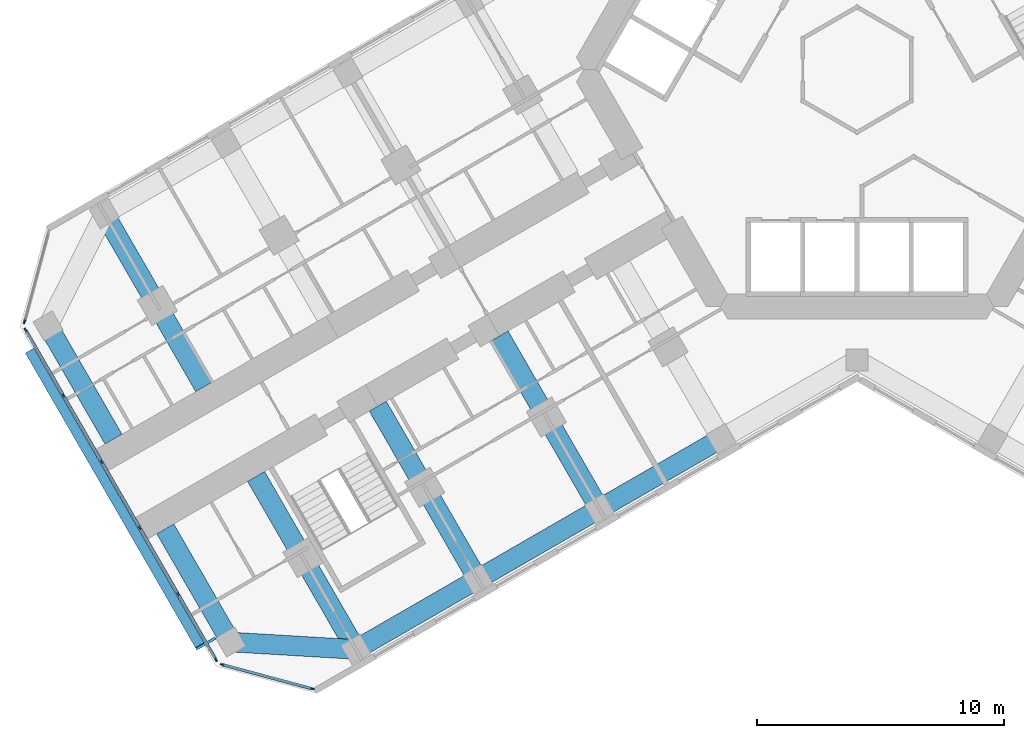
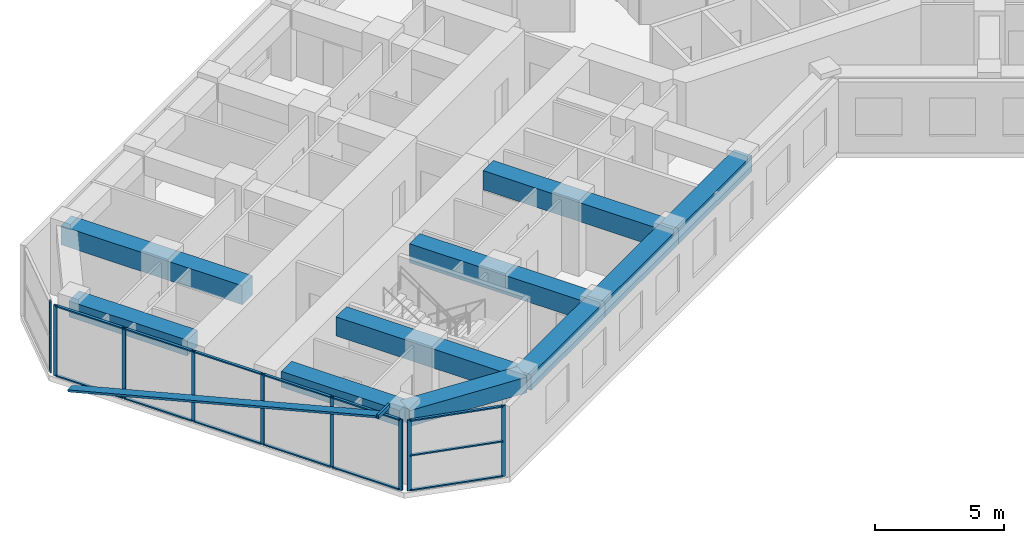
# One storey, part 2 of 21: 24 members, 10 beams, 3 elements without a shape of their own.
"""IFC4 building model written with IfcOpenShell, lengths in metres."""

from ifc_helpers import new_model, si_unit, direction, frame, origin, origin_2d, place, context, subcontext, project, spatial, rectangle, hollow_rectangle, extrude, material, material_profile, profile_set, type_object, element, aggregate, save


model = new_model("IFC4")

# Units and contexts
model_context = context("Model", 3, precision=1e-05, world=origin(), true_north=direction((0.0, 1.0)))
body_context = subcontext(model_context, "Body", "Model", "MODEL_VIEW")
ifc_project = project(units=[si_unit("LENGTHUNIT", "METRE"), si_unit("AREAUNIT", "SQUARE_METRE"), si_unit("VOLUMEUNIT", "CUBIC_METRE"), si_unit("PLANEANGLEUNIT", "RADIAN"), si_unit("MASSUNIT", "GRAM", prefix="KILO")], contexts=[model_context])

# Site, building, storey
site_placement = place(None, origin())
site = spatial("IfcSite", under=ifc_project, at=site_placement, CompositionType="ELEMENT")
building_placement = place(site_placement, origin())
building = spatial("IfcBuilding", under=site, at=building_placement, Name="Kosmar Iwan School Tower", CompositionType="ELEMENT")
storey_placement = place(building_placement, frame((0.0, 0.0, 106.0)))
storey = spatial("IfcBuildingStorey", under=building, at=storey_placement, Name="L26", CompositionType="ELEMENT", Elevation=106.0)

# Members
ifc_material_1 = material(Name="Black anodised aluminium", Category="aluminium")
ifc_material_profile_1 = material_profile(ifc_material_1, rectangle(XDim=0.10009765625, YDim=0.39990234375, at=origin_2d()), Name="FIN 100x400")
ifc_profile_set_1 = profile_set([ifc_material_profile_1], Name="Black anodised aluminium")
member_type_1 = type_object("IfcMemberType", Name="Diagonal fin 100x400", PredefinedType="USERDEFINED", material=ifc_profile_set_1)
member_1_placement = place(storey_placement, frame((-33.54345703125, -11.40087890625, -0.14990234375), z_axis=(0.483795538458, -0.837973939202, 0.252470897702), x_axis=(-0.126233699175, 0.218647221293, 0.967604488318)))
element("IfcMember", 1, at=member_1_placement, inside=storey, type_object=member_type_1, Name="Diagonal fin L26-F13", ObjectType="FIN", PredefinedType="USERDEFINED", context=body_context, shape_type="SweptSolid", body=[
    extrude(rectangle(XDim=0.10009765625, YDim=0.39990234375, at=origin_2d()), origin(), (0.0, 0.0, 1.0), 14.258544921875),
])
ifc_material_2 = material(Name="Steel S355", Category="steel")
ifc_material_profile_2 = material_profile(ifc_material_2, hollow_rectangle(XDim=0.10009765625, YDim=0.199951171875, WallThickness=0.008056640625, at=origin_2d()), Name="RHS 200x100x8")
ifc_profile_set_2 = profile_set([ifc_material_profile_2], Name="Steel S355")
member_type_2 = type_object("IfcMemberType", Name="Fin bracket RHS 200x100", PredefinedType="USERDEFINED", material=ifc_profile_set_2)
member_2_placement = place(storey_placement, frame((-26.01318359375, -23.0439453125, 3.47509765625), z_axis=(-0.866013897511, -0.50001992892, 0.0), x_axis=(0.50001992892, -0.866013897511, 0.0)))
element("IfcMember", 2, at=member_2_placement, inside=storey, type_object=member_type_2, Name="Fin bracket L27", ObjectType="FIN BRACKET", PredefinedType="USERDEFINED", context=body_context, shape_type="SweptSolid", body=[
    extrude(hollow_rectangle(XDim=0.10009765625, YDim=0.199951171875, WallThickness=0.008056640625, at=origin_2d()), origin(), (0.0, 0.0, 1.0), 0.89990234375),
])

# Curtain wall, member
ifc_material_3 = material(Name="Dark glass in black aluminium frame", Category="aluminium")
curtain_wall_type_1 = type_object("IfcCurtainWallType", Name="Chamfer curtain wall dark glass", PredefinedType="USERDEFINED", material=ifc_material_3)
curtain_wall_1_placement = place(storey_placement, origin())
curtain_wall_1 = element("IfcCurtainWall", 3, at=curtain_wall_1_placement, inside=storey, type_object=curtain_wall_type_1, Name="Curtain wall L26-F12", ObjectType="FACETED CURTAIN WALL", PredefinedType="USERDEFINED")
ifc_material_4 = material(Name="Black anodised aluminium", Category="aluminium")
ifc_material_profile_3 = material_profile(ifc_material_4, rectangle(XDim=0.06005859375, YDim=0.159912109375, at=origin_2d()), Name="MULLION 60x160")
ifc_profile_set_3 = profile_set([ifc_material_profile_3], Name="Black anodised aluminium")
member_type_3 = type_object("IfcMemberType", Name="Mullion 60x160", PredefinedType="MULLION", material=ifc_profile_set_3)
member_3_placement = place(storey_placement, frame((-33.7587890625, -10.2236328125, 0.0), z_axis=(0.0, 0.0, 1.0), x_axis=(0.965925875495, -0.258818861462, 0.0)))
member_3 = element("IfcMember", 4, at=member_3_placement, type_object=member_type_3, Name="CW2 mullion 2", PredefinedType="MULLION", context=body_context, shape_type="SweptSolid", body=[
    extrude(rectangle(XDim=0.06005859375, YDim=0.159912109375, at=origin_2d()), origin(), (0.0, 0.0, 1.0), 3.35009765625),
])
aggregate(curtain_wall_1, [member_3])

# Curtain wall, members
ifc_material_5 = material(Name="Dark glass in black aluminium frame", Category="aluminium")
curtain_wall_type_2 = type_object("IfcCurtainWallType", Name="Tower curtain wall dark glass", PredefinedType="USERDEFINED", material=ifc_material_5)
curtain_wall_2_placement = place(storey_placement, origin())
curtain_wall_2 = element("IfcCurtainWall", 5, at=curtain_wall_2_placement, inside=storey, type_object=curtain_wall_type_2, Name="Curtain wall L26-F13", ObjectType="UNITISED CURTAIN WALL", PredefinedType="USERDEFINED")
member_4_placement = place(storey_placement, frame((-33.71533203125, -10.55322265625, 0.0), z_axis=(0.0, 0.0, 1.0), x_axis=(0.866025405329, 0.499999997325, 0.0)))
member_4 = element("IfcMember", 6, at=member_4_placement, type_object=member_type_3, Name="CW1 mullion 1", PredefinedType="MULLION", context=body_context, shape_type="SweptSolid", body=[
    extrude(rectangle(XDim=0.06005859375, YDim=0.159912109375, at=origin_2d()), origin(), (0.0, 0.0, 1.0), 3.35009765625),
])
member_5_placement = place(storey_placement, frame((-32.1806640625, -13.21142578125, 0.0), z_axis=(0.0, 0.0, 1.0), x_axis=(0.866025405329, 0.499999997325, 0.0)))
member_5 = element("IfcMember", 7, at=member_5_placement, type_object=member_type_3, Name="CW1 mullion 2", PredefinedType="MULLION", context=body_context, shape_type="SweptSolid", body=[
    extrude(rectangle(XDim=0.06005859375, YDim=0.159912109375, at=origin_2d()), origin(), (0.0, 0.0, 1.0), 3.35009765625),
])
member_6_placement = place(storey_placement, frame((-30.631103515625, -15.8955078125, 0.0), z_axis=(0.0, 0.0, 1.0), x_axis=(0.866025405329, 0.499999997325, 0.0)))
member_6 = element("IfcMember", 8, at=member_6_placement, type_object=member_type_3, Name="CW1 mullion 3", PredefinedType="MULLION", context=body_context, shape_type="SweptSolid", body=[
    extrude(rectangle(XDim=0.06005859375, YDim=0.159912109375, at=origin_2d()), origin(), (0.0, 0.0, 1.0), 3.35009765625),
])
member_7_placement = place(storey_placement, frame((-29.081298828125, -18.57958984375, 0.0), z_axis=(0.0, 0.0, 1.0), x_axis=(0.866025405329, 0.499999997325, 0.0)))
member_7 = element("IfcMember", 9, at=member_7_placement, type_object=member_type_3, Name="CW1 mullion 4", PredefinedType="MULLION", context=body_context, shape_type="SweptSolid", body=[
    extrude(rectangle(XDim=0.06005859375, YDim=0.159912109375, at=origin_2d()), origin(), (0.0, 0.0, 1.0), 3.35009765625),
])
member_8_placement = place(storey_placement, frame((-27.53173828125, -21.263671875, 0.0), z_axis=(0.0, 0.0, 1.0), x_axis=(0.866025405329, 0.499999997325, 0.0)))
member_8 = element("IfcMember", 10, at=member_8_placement, type_object=member_type_3, Name="CW1 mullion 5", PredefinedType="MULLION", context=body_context, shape_type="SweptSolid", body=[
    extrude(rectangle(XDim=0.06005859375, YDim=0.159912109375, at=origin_2d()), origin(), (0.0, 0.0, 1.0), 3.35009765625),
])
member_9_placement = place(storey_placement, frame((-25.9970703125, -23.921630859375, 0.0), z_axis=(0.0, 0.0, 1.0), x_axis=(0.866025405329, 0.499999997325, 0.0)))
member_9 = element("IfcMember", 11, at=member_9_placement, type_object=member_type_3, Name="CW1 mullion 6", PredefinedType="MULLION", context=body_context, shape_type="SweptSolid", body=[
    extrude(rectangle(XDim=0.06005859375, YDim=0.159912109375, at=origin_2d()), origin(), (0.0, 0.0, 1.0), 3.35009765625),
])

curtain_wall_3_placement = place(storey_placement, origin())
curtain_wall_3 = element("IfcCurtainWall", 12, at=curtain_wall_3_placement, inside=storey, type_object=curtain_wall_type_1, Name="Curtain wall L26-F14", ObjectType="FACETED CURTAIN WALL", PredefinedType="USERDEFINED")
member_10_placement = place(storey_placement, frame((-25.733154296875, -24.124267578125, 0.0), z_axis=(0.0, 0.0, 1.0), x_axis=(0.258818861462, 0.965925875495, 0.0)))
member_10 = element("IfcMember", 13, at=member_10_placement, type_object=member_type_3, Name="CW2 mullion 1", PredefinedType="MULLION", context=body_context, shape_type="SweptSolid", body=[
    extrude(rectangle(XDim=0.06005859375, YDim=0.159912109375, at=origin_2d()), origin(), (0.0, 0.0, 1.0), 3.35009765625),
])
member_11_placement = place(storey_placement, frame((-22.0830078125, -25.102294921875, 0.0), z_axis=(0.0, 0.0, 1.0), x_axis=(0.258818861462, 0.965925875495, 0.0)))
member_11 = element("IfcMember", 14, at=member_11_placement, type_object=member_type_3, Name="CW2 mullion 2", PredefinedType="MULLION", context=body_context, shape_type="SweptSolid", body=[
    extrude(rectangle(XDim=0.06005859375, YDim=0.159912109375, at=origin_2d()), origin(), (0.0, 0.0, 1.0), 3.35009765625),
])

# Beams
ifc_material_6 = material(Name="Concrete C50/60", Category="concrete")
ifc_material_profile_4 = material_profile(ifc_material_6, rectangle(XDim=0.800048828125, YDim=0.75, at=origin_2d()), Name="RC 800x750")
ifc_profile_set_4 = profile_set([ifc_material_profile_4], Name="Concrete C50/60")
beam_type_1 = type_object("IfcBeamType", Name="RC edge beam 800x750", PredefinedType="BEAM", material=ifc_profile_set_4)
beam_1_placement = place(storey_placement, frame((-5.5087890625, -14.95849609375, 2.97509765625), z_axis=(-0.866033658841, -0.49998570155, 0.0), x_axis=(0.49998570155, -0.866033658841, 0.0)))
element("IfcBeam", 15, at=beam_1_placement, inside=storey, type_object=beam_type_1, Name="Edge beam BL2", PredefinedType="BEAM", context=body_context, shape_type="SweptSolid", body=[
    extrude(rectangle(XDim=0.800048828125, YDim=0.75, at=origin_2d()), origin(), (0.0, 0.0, 1.0), 5.699951171875),
])
beam_2_placement = place(storey_placement, frame((-10.445068359375, -17.808349609375, 2.97509765625), z_axis=(-0.866025820012, -0.499999279071, 0.0), x_axis=(0.499999279071, -0.866025820012, 0.0)))
element("IfcBeam", 16, at=beam_2_placement, inside=storey, type_object=beam_type_1, Name="Edge beam BL3", PredefinedType="BEAM", context=body_context, shape_type="SweptSolid", body=[
    extrude(rectangle(XDim=0.800048828125, YDim=0.75, at=origin_2d()), origin(), (0.0, 0.0, 1.0), 5.7001953125),
])
beam_3_placement = place(storey_placement, frame((-15.381591796875, -20.658447265625, 2.97509765625), z_axis=(-0.866015111908, -0.50001782563, 0.0), x_axis=(0.50001782563, -0.866015111908, 0.0)))
element("IfcBeam", 17, at=beam_3_placement, inside=storey, type_object=beam_type_1, Name="Edge beam BL4", PredefinedType="BEAM", context=body_context, shape_type="SweptSolid", body=[
    extrude(rectangle(XDim=0.800048828125, YDim=0.75, at=origin_2d()), origin(), (0.0, 0.0, 1.0), 5.699951171875),
])
ifc_material_7 = material(Name="Concrete C50/60", Category="concrete")
ifc_material_profile_5 = material_profile(ifc_material_7, rectangle(XDim=0.800048828125, YDim=0.75, at=origin_2d()), Name="RC 800x750")
ifc_profile_set_5 = profile_set([ifc_material_profile_5], Name="Concrete C50/60")
beam_type_2 = type_object("IfcBeamType", Name="RC tip beam 800x750", PredefinedType="BEAM", material=ifc_profile_set_5)
beam_4_placement = place(storey_placement, frame((-20.31787109375, -23.508544921875, 2.97509765625), z_axis=(-0.998260616478, 0.058955420358, 0.0), x_axis=(-0.058955420358, -0.998260616478, 0.0)))
element("IfcBeam", 18, at=beam_4_placement, inside=storey, type_object=beam_type_2, Name="Tip beam BL", PredefinedType="BEAM", context=body_context, shape_type="SweptSolid", body=[
    extrude(rectangle(XDim=0.800048828125, YDim=0.75, at=origin_2d()), origin(), (0.0, 0.0, 1.0), 5.08935546875),
])
beam_5_placement = place(storey_placement, frame((-25.3984375, -23.20849609375, 2.97509765625), z_axis=(-0.499993606316, 0.866029095148, 0.0), x_axis=(-0.866029095148, -0.499993606316, 0.0)))
element("IfcBeam", 19, at=beam_5_placement, inside=storey, type_object=beam_type_2, Name="Tip beam BL to corridor wall", PredefinedType="BEAM", context=body_context, shape_type="SweptSolid", body=[
    extrude(rectangle(XDim=0.800048828125, YDim=0.75, at=origin_2d()), origin(), (0.0, 0.0, 1.0), 5.2998046875),
])
beam_6_placement = place(storey_placement, frame((-32.79833984375, -10.391357421875, 2.97509765625), z_axis=(0.499973660256, -0.866040610509, 0.0), x_axis=(0.866040610509, 0.499973660256, 0.0)))
element("IfcBeam", 20, at=beam_6_placement, inside=storey, type_object=beam_type_2, Name="Tip beam BR to corridor wall", PredefinedType="BEAM", context=body_context, shape_type="SweptSolid", body=[
    extrude(rectangle(XDim=0.800048828125, YDim=0.75, at=origin_2d()), origin(), (0.0, 0.0, 1.0), 5.300048828125),
])
ifc_material_8 = material(Name="Concrete C50/60", Category="concrete")
ifc_material_profile_6 = material_profile(ifc_material_8, rectangle(XDim=0.800048828125, YDim=0.89990234375, at=origin_2d()), Name="RC 800x900")
ifc_profile_set_6 = profile_set([ifc_material_profile_6], Name="Concrete C50/60")
beam_type_3 = type_object("IfcBeamType", Name="RC transverse beam 800x900", PredefinedType="BEAM", material=ifc_profile_set_6)
beam_7_placement = place(storey_placement, frame((-10.445068359375, -17.808349609375, 2.89990234375), z_axis=(-0.500012932018, 0.866017937352, 0.0), x_axis=(-0.866017937352, -0.500012932018, 0.0)))
element("IfcBeam", 21, at=beam_7_placement, inside=storey, type_object=beam_type_3, Name="Transverse beam BL2", PredefinedType="BEAM", context=body_context, shape_type="SweptSolid", body=[
    extrude(rectangle(XDim=0.800048828125, YDim=0.89990234375, at=origin_2d()), origin(), (0.0, 0.0, 1.0), 8.099853515625),
])
for number, where, z_axis, x_axis, name in (
    (22, (-15.381591796875, -20.658447265625, 2.89990234375), (-0.499977274689, 0.866038523851, 0.0), (-0.866038523851, -0.499977274689, 0.0), "Transverse beam BL3"),
    (23, (-20.31787109375, -23.508544921875, 2.89990234375), (-0.499999880539, 0.866025472755, 0.0), (-0.866025472755, -0.499999880539, 0.0), "Transverse beam BL4"),
    (24, (-30.517822265625, -5.841552734375, 2.89990234375), (0.499999880539, -0.866025472755, 0.0), (0.866025472755, 0.499999880539, 0.0), "Transverse beam BR4"),
):
    element("IfcBeam", number, at=place(storey_placement, frame(where, z_axis=z_axis, x_axis=x_axis)), inside=storey, type_object=beam_type_3, Name=name, PredefinedType="BEAM", context=body_context, shape_type="SweptSolid", body=[
        extrude(rectangle(XDim=0.800048828125, YDim=0.89990234375, at=origin_2d()), origin(), (0.0, 0.0, 1.0), 8.10009765625),
    ])

# Member
ifc_material_9 = material(Name="Black anodised aluminium", Category="aluminium")
ifc_material_profile_7 = material_profile(ifc_material_9, rectangle(XDim=0.1201171875, YDim=0.06005859375, at=origin_2d()), Name="TRANSOM 60x120")
ifc_profile_set_7 = profile_set([ifc_material_profile_7], Name="Black anodised aluminium")
member_type_4 = type_object("IfcMemberType", Name="Transom 60x120", PredefinedType="USERDEFINED", material=ifc_profile_set_7)
member_12_placement = place(storey_placement, frame((-33.700439453125, -10.579345703125, 0.030029296875), z_axis=(0.500022102064, -0.866012642776, 0.0), x_axis=(0.866012642776, 0.500022102064, 0.0)))
member_12 = element("IfcMember", 25, at=member_12_placement, type_object=member_type_4, Name="CW1 transom 1.1", ObjectType="TRANSOM", PredefinedType="USERDEFINED", context=body_context, shape_type="SweptSolid", body=[
    extrude(rectangle(XDim=0.1201171875, YDim=0.06005859375, at=origin_2d()), origin(), (0.0, 0.0, 1.0), 3.009033203125),
])

member_13_placement = place(storey_placement, frame((-33.700439453125, -10.579345703125, 3.320068359375), z_axis=(0.500022102064, -0.866012642776, 0.0), x_axis=(0.866012642776, 0.500022102064, 0.0)))
member_13 = element("IfcMember", 26, at=member_13_placement, type_object=member_type_4, Name="CW1 transom 1.2", ObjectType="TRANSOM", PredefinedType="USERDEFINED", context=body_context, shape_type="SweptSolid", body=[
    extrude(rectangle(XDim=0.1201171875, YDim=0.06005859375, at=origin_2d()), origin(), (0.0, 0.0, 1.0), 3.009033203125),
])

member_14_placement = place(storey_placement, frame((-32.165771484375, -13.2373046875, 0.030029296875), z_axis=(0.500035348339, -0.866004994449, 0.0), x_axis=(0.866004994449, 0.500035348339, 0.0)))
member_14 = element("IfcMember", 27, at=member_14_placement, type_object=member_type_4, Name="CW1 transom 2.1", ObjectType="TRANSOM", PredefinedType="USERDEFINED", context=body_context, shape_type="SweptSolid", body=[
    extrude(rectangle(XDim=0.1201171875, YDim=0.06005859375, at=origin_2d()), origin(), (0.0, 0.0, 1.0), 3.039306640625),
])

member_15_placement = place(storey_placement, frame((-32.165771484375, -13.2373046875, 3.320068359375), z_axis=(0.500035348339, -0.866004994449, 0.0), x_axis=(0.866004994449, 0.500035348339, 0.0)))
member_15 = element("IfcMember", 28, at=member_15_placement, type_object=member_type_4, Name="CW1 transom 2.2", ObjectType="TRANSOM", PredefinedType="USERDEFINED", context=body_context, shape_type="SweptSolid", body=[
    extrude(rectangle(XDim=0.1201171875, YDim=0.06005859375, at=origin_2d()), origin(), (0.0, 0.0, 1.0), 3.039306640625),
])

member_16_placement = place(storey_placement, frame((-30.615966796875, -15.92138671875, 0.030029296875), z_axis=(0.499975102327, -0.866039777986, 0.0), x_axis=(0.866039777986, 0.499975102327, 0.0)))
member_16 = element("IfcMember", 29, at=member_16_placement, type_object=member_type_4, Name="CW1 transom 3.1", ObjectType="TRANSOM", PredefinedType="USERDEFINED", context=body_context, shape_type="SweptSolid", body=[
    extrude(rectangle(XDim=0.1201171875, YDim=0.06005859375, at=origin_2d()), origin(), (0.0, 0.0, 1.0), 3.039306640625),
])

member_17_placement = place(storey_placement, frame((-30.615966796875, -15.92138671875, 3.320068359375), z_axis=(0.499975102327, -0.866039777986, 0.0), x_axis=(0.866039777986, 0.499975102327, 0.0)))
member_17 = element("IfcMember", 30, at=member_17_placement, type_object=member_type_4, Name="CW1 transom 3.2", ObjectType="TRANSOM", PredefinedType="USERDEFINED", context=body_context, shape_type="SweptSolid", body=[
    extrude(rectangle(XDim=0.1201171875, YDim=0.06005859375, at=origin_2d()), origin(), (0.0, 0.0, 1.0), 3.039306640625),
])

member_18_placement = place(storey_placement, frame((-29.06640625, -18.60546875, 0.030029296875), z_axis=(0.499975102327, -0.866039777986, 0.0), x_axis=(0.866039777986, 0.499975102327, 0.0)))
member_18 = element("IfcMember", 31, at=member_18_placement, type_object=member_type_4, Name="CW1 transom 4.1", ObjectType="TRANSOM", PredefinedType="USERDEFINED", context=body_context, shape_type="SweptSolid", body=[
    extrude(rectangle(XDim=0.1201171875, YDim=0.06005859375, at=origin_2d()), origin(), (0.0, 0.0, 1.0), 3.039306640625),
])

member_19_placement = place(storey_placement, frame((-29.06640625, -18.60546875, 3.320068359375), z_axis=(0.499975102327, -0.866039777986, 0.0), x_axis=(0.866039777986, 0.499975102327, 0.0)))
member_19 = element("IfcMember", 32, at=member_19_placement, type_object=member_type_4, Name="CW1 transom 4.2", ObjectType="TRANSOM", PredefinedType="USERDEFINED", context=body_context, shape_type="SweptSolid", body=[
    extrude(rectangle(XDim=0.1201171875, YDim=0.06005859375, at=origin_2d()), origin(), (0.0, 0.0, 1.0), 3.039306640625),
])

member_20_placement = place(storey_placement, frame((-27.516845703125, -21.28955078125, 0.030029296875), z_axis=(0.499986971506, -0.866032925658, 0.0), x_axis=(0.866032925658, 0.499986971506, 0.0)))
member_20 = element("IfcMember", 33, at=member_20_placement, type_object=member_type_4, Name="CW1 transom 5.1", ObjectType="TRANSOM", PredefinedType="USERDEFINED", context=body_context, shape_type="SweptSolid", body=[
    extrude(rectangle(XDim=0.1201171875, YDim=0.06005859375, at=origin_2d()), origin(), (0.0, 0.0, 1.0), 3.00927734375),
])

member_21_placement = place(storey_placement, frame((-27.516845703125, -21.28955078125, 3.320068359375), z_axis=(0.499986971506, -0.866032925658, 0.0), x_axis=(0.866032925658, 0.499986971506, 0.0)))
member_21 = element("IfcMember", 34, at=member_21_placement, type_object=member_type_4, Name="CW1 transom 5.2", ObjectType="TRANSOM", PredefinedType="USERDEFINED", context=body_context, shape_type="SweptSolid", body=[
    extrude(rectangle(XDim=0.1201171875, YDim=0.06005859375, at=origin_2d()), origin(), (0.0, 0.0, 1.0), 3.00927734375),
])

aggregate(curtain_wall_2, [member_4, member_5, member_6, member_7, member_8, member_9, member_12, member_13, member_14, member_15, member_16, member_17, member_18, member_19, member_20, member_21])

member_22_placement = place(storey_placement, frame((-25.704345703125, -24.1318359375, 0.030029296875), z_axis=(0.965923731726, -0.258826861991, 0.0), x_axis=(0.258826861991, 0.965923731726, 0.0)))
member_22 = element("IfcMember", 35, at=member_22_placement, type_object=member_type_4, Name="CW2 transom 1.1", ObjectType="TRANSOM", PredefinedType="USERDEFINED", context=body_context, shape_type="SweptSolid", body=[
    extrude(rectangle(XDim=0.1201171875, YDim=0.06005859375, at=origin_2d()), origin(), (0.0, 0.0, 1.0), 3.71923828125),
])

member_23_placement = place(storey_placement, frame((-25.704345703125, -24.1318359375, 1.675048828125), z_axis=(0.965923731726, -0.258826861991, 0.0), x_axis=(0.258826861991, 0.965923731726, 0.0)))
member_23 = element("IfcMember", 36, at=member_23_placement, type_object=member_type_4, Name="CW2 transom 1.2", ObjectType="TRANSOM", PredefinedType="USERDEFINED", context=body_context, shape_type="SweptSolid", body=[
    extrude(rectangle(XDim=0.1201171875, YDim=0.06005859375, at=origin_2d()), origin(), (0.0, 0.0, 1.0), 3.71923828125),
])

member_24_placement = place(storey_placement, frame((-25.704345703125, -24.1318359375, 3.320068359375), z_axis=(0.965923731726, -0.258826861991, 0.0), x_axis=(0.258826861991, 0.965923731726, 0.0)))
member_24 = element("IfcMember", 37, at=member_24_placement, type_object=member_type_4, Name="CW2 transom 1.3", ObjectType="TRANSOM", PredefinedType="USERDEFINED", context=body_context, shape_type="SweptSolid", body=[
    extrude(rectangle(XDim=0.1201171875, YDim=0.06005859375, at=origin_2d()), origin(), (0.0, 0.0, 1.0), 3.71923828125),
])

aggregate(curtain_wall_3, [member_10, member_11, member_22, member_23, member_24])

save(model, "model.ifc")
